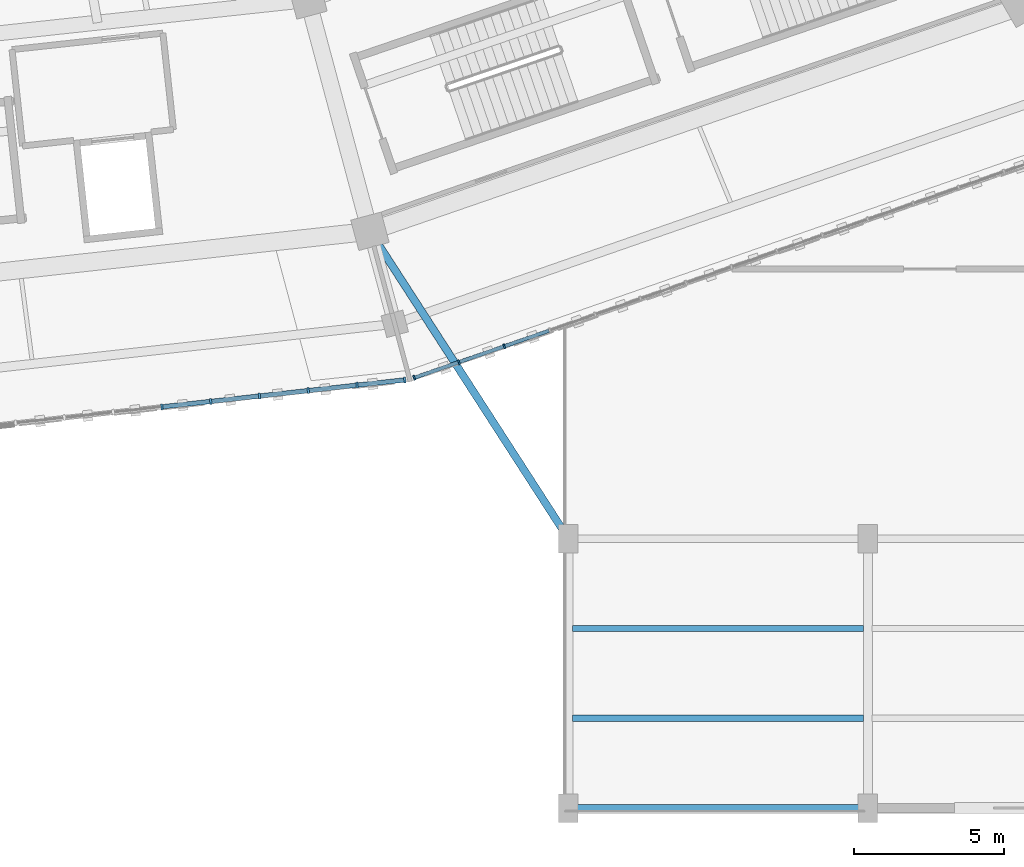
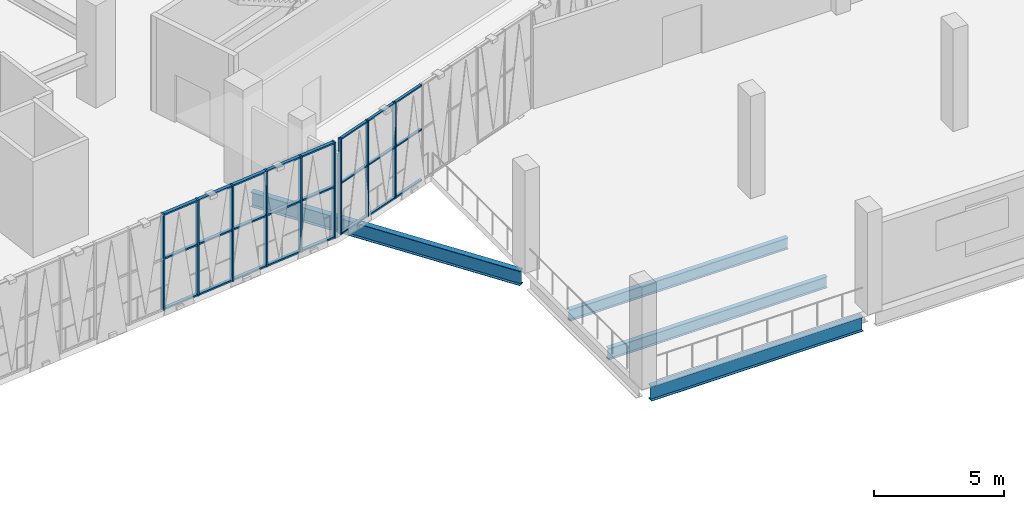
# One storey, part 26 of 179: 33 members, 4 beams, 2 elements without a shape of their own.
"""IFC4 building model written with IfcOpenShell, lengths in metres."""

from ifc_helpers import new_model, si_unit, direction, frame, origin, origin_2d, place, context, subcontext, project, spatial, rectangle, i_section, extrude, material, material_profile, profile_set, type_object, element, aggregate, save


model = new_model("IFC4")

# Units and contexts
model_context = context("Model", 3, precision=1e-05, world=origin(), true_north=direction((0.0, 1.0)))
body_context = subcontext(model_context, "Body", "Model", "MODEL_VIEW")
ifc_project = project(units=[si_unit("LENGTHUNIT", "METRE"), si_unit("AREAUNIT", "SQUARE_METRE"), si_unit("VOLUMEUNIT", "CUBIC_METRE"), si_unit("PLANEANGLEUNIT", "RADIAN"), si_unit("MASSUNIT", "GRAM", prefix="KILO")], contexts=[model_context])

# Site, building, storey
site_placement = place(None, origin())
site = spatial("IfcSite", under=ifc_project, at=site_placement, CompositionType="ELEMENT")
building_placement = place(site_placement, origin())
building = spatial("IfcBuilding", under=site, at=building_placement, Name="Zevraka Park Crest Stadium", CompositionType="ELEMENT")
storey_placement = place(building_placement, frame((0.0, 0.0, 10.199951171875)))
storey = spatial("IfcBuildingStorey", under=building, at=storey_placement, Name="L02", CompositionType="ELEMENT", Elevation=10.199951171875)

# Beams
ifc_material_1 = material(Name="Steel S355", Category="steel")
ifc_material_profile_1 = material_profile(ifc_material_1, i_section(OverallWidth=0.253662109375, OverallDepth=0.68359375, WebThickness=0.012451171875, FlangeThickness=0.01904296875, at=origin_2d()), Name="UKB 686x254x140")
ifc_profile_set_1 = profile_set([ifc_material_profile_1], Name="Steel S355")
beam_type_1 = type_object("IfcBeamType", Name="BG05", PredefinedType="BEAM", material=ifc_profile_set_1)
beam_1_placement = place(storey_placement, frame((142.300048828125, 0.0, -0.629638671875), z_axis=(1.0, 0.0, 0.0), x_axis=(0.0, 1.0, 0.0)))
element("IfcBeam", 1, at=beam_1_placement, inside=storey, type_object=beam_type_1, Name="Wing Girder BG05 L02-1617/A", PredefinedType="BEAM", context=body_context, shape_type="SweptSolid", body=[
    extrude(i_section(OverallWidth=0.253662109375, OverallDepth=0.68359375, WebThickness=0.012451171875, FlangeThickness=0.01904296875, at=origin_2d()), origin(), (0.0, 0.0, 1.0), 9.39990234375),
])
beam_2_placement = place(storey_placement, frame((141.89208984375, 9.16796875, -0.629638671875), z_axis=(-0.542497990174, 0.840057099641, 0.0), x_axis=(-0.840057099641, -0.542497990174, 0.0)))
element("IfcBeam", 2, at=beam_2_placement, inside=storey, type_object=beam_type_1, Name="Wing Link Girder BG05 L02-16/B", PredefinedType="BEAM", context=body_context, shape_type="SweptSolid", body=[
    extrude(i_section(OverallWidth=0.253662109375, OverallDepth=0.68359375, WebThickness=0.012451171875, FlangeThickness=0.01904296875, at=origin_2d()), origin(), (0.0, 0.0, 1.0), 11.640869140625),
])

# Curtain wall, members
ifc_material_2 = material(Name="Anodised architectural aluminium and laminated safety glass", Category="aluminium")
curtain_wall_type_1 = type_object("IfcCurtainWallType", Name="CW07", PredefinedType="NOTDEFINED", material=ifc_material_2)
curtain_wall_1_placement = place(storey_placement, origin())
curtain_wall_1 = element("IfcCurtainWall", 3, at=curtain_wall_1_placement, inside=storey, type_object=curtain_wall_type_1, Name="Unitised Ring Curtain Wall CW07 L02-19", PredefinedType="NOTDEFINED")
ifc_material_3 = material(Name="Anodised architectural aluminium", Category="aluminium")
ifc_material_profile_2 = material_profile(ifc_material_3, rectangle(XDim=0.159912109375, YDim=0.06005859375, at=origin_2d()), Name="ALU MULLION 160x60")
ifc_profile_set_2 = profile_set([ifc_material_profile_2], Name="Anodised architectural aluminium")
member_type_1 = type_object("IfcMemberType", Name="CM01", PredefinedType="MULLION", material=ifc_profile_set_2)
member_1_placement = place(storey_placement, frame((136.851318359375, 14.375, 0.0), z_axis=(0.0, 0.0, 1.0), x_axis=(-0.329618886002, 0.944114076789, 0.0)))
member_1 = element("IfcMember", 4, at=member_1_placement, type_object=member_type_1, Name="CW07 mullion 1", PredefinedType="MULLION", context=body_context, shape_type="SweptSolid", body=[
    extrude(rectangle(XDim=0.159912109375, YDim=0.06005859375, at=origin_2d()), origin(), (0.0, 0.0, 1.0), 4.5),
])
member_2_placement = place(storey_placement, frame((138.3408203125, 14.89501953125, 0.0), z_axis=(0.0, 0.0, 1.0), x_axis=(-0.329618886002, 0.944114076789, 0.0)))
member_2 = element("IfcMember", 5, at=member_2_placement, type_object=member_type_1, Name="CW07 mullion 2", PredefinedType="MULLION", context=body_context, shape_type="SweptSolid", body=[
    extrude(rectangle(XDim=0.159912109375, YDim=0.06005859375, at=origin_2d()), origin(), (0.0, 0.0, 1.0), 4.5),
])
member_3_placement = place(storey_placement, frame((139.858642578125, 15.4248046875, 0.0), z_axis=(0.0, 0.0, 1.0), x_axis=(-0.329618886002, 0.944114076789, 0.0)))
member_3 = element("IfcMember", 6, at=member_3_placement, type_object=member_type_1, Name="CW07 mullion 3", PredefinedType="MULLION", context=body_context, shape_type="SweptSolid", body=[
    extrude(rectangle(XDim=0.159912109375, YDim=0.06005859375, at=origin_2d()), origin(), (0.0, 0.0, 1.0), 4.5),
])

ifc_material_4 = material(Name="Anodised architectural aluminium and laminated safety glass", Category="aluminium")
curtain_wall_type_2 = type_object("IfcCurtainWallType", Name="CW06", PredefinedType="NOTDEFINED", material=ifc_material_4)
curtain_wall_2_placement = place(storey_placement, origin())
curtain_wall_2 = element("IfcCurtainWall", 7, at=curtain_wall_2_placement, inside=storey, type_object=curtain_wall_type_2, Name="Unitised Ring Curtain Wall CW06 L02-18", PredefinedType="NOTDEFINED")
ifc_material_5 = material(Name="Anodised architectural aluminium", Category="aluminium")
ifc_material_profile_3 = material_profile(ifc_material_5, rectangle(XDim=0.199951171875, YDim=0.070068359375, at=origin_2d()), Name="ALU MULLION 200x70")
ifc_profile_set_3 = profile_set([ifc_material_profile_3], Name="Anodised architectural aluminium")
member_type_2 = type_object("IfcMemberType", Name="CM03", PredefinedType="MULLION", material=ifc_profile_set_3)
member_4_placement = place(storey_placement, frame((128.422607421875, 13.403076171875, 0.0), z_axis=(0.0, 0.0, 1.0), x_axis=(-0.110293152687, 0.993899099743, 0.0)))
member_4 = element("IfcMember", 8, at=member_4_placement, type_object=member_type_2, Name="CW06 mullion 11", PredefinedType="MULLION", context=body_context, shape_type="SweptSolid", body=[
    extrude(rectangle(XDim=0.199951171875, YDim=0.070068359375, at=origin_2d()), origin(), (0.0, 0.0, 1.0), 4.5),
])
member_5_placement = place(storey_placement, frame((130.052001953125, 13.583740234375, 0.0), z_axis=(0.0, 0.0, 1.0), x_axis=(-0.110293152687, 0.993899099743, 0.0)))
member_5 = element("IfcMember", 9, at=member_5_placement, type_object=member_type_2, Name="CW06 mullion 12", PredefinedType="MULLION", context=body_context, shape_type="SweptSolid", body=[
    extrude(rectangle(XDim=0.199951171875, YDim=0.070068359375, at=origin_2d()), origin(), (0.0, 0.0, 1.0), 4.5),
])
member_6_placement = place(storey_placement, frame((131.68115234375, 13.7646484375, 0.0), z_axis=(0.0, 0.0, 1.0), x_axis=(-0.110293152687, 0.993899099743, 0.0)))
member_6 = element("IfcMember", 10, at=member_6_placement, type_object=member_type_2, Name="CW06 mullion 13", PredefinedType="MULLION", context=body_context, shape_type="SweptSolid", body=[
    extrude(rectangle(XDim=0.199951171875, YDim=0.070068359375, at=origin_2d()), origin(), (0.0, 0.0, 1.0), 4.5),
])
member_7_placement = place(storey_placement, frame((133.310546875, 13.9453125, 0.0), z_axis=(0.0, 0.0, 1.0), x_axis=(-0.110293152687, 0.993899099743, 0.0)))
member_7 = element("IfcMember", 11, at=member_7_placement, type_object=member_type_2, Name="CW06 mullion 14", PredefinedType="MULLION", context=body_context, shape_type="SweptSolid", body=[
    extrude(rectangle(XDim=0.199951171875, YDim=0.070068359375, at=origin_2d()), origin(), (0.0, 0.0, 1.0), 4.5),
])
member_8_placement = place(storey_placement, frame((134.939697265625, 14.126220703125, 0.0), z_axis=(0.0, 0.0, 1.0), x_axis=(-0.110293152687, 0.993899099743, 0.0)))
member_8 = element("IfcMember", 12, at=member_8_placement, type_object=member_type_2, Name="CW06 mullion 15", PredefinedType="MULLION", context=body_context, shape_type="SweptSolid", body=[
    extrude(rectangle(XDim=0.199951171875, YDim=0.070068359375, at=origin_2d()), origin(), (0.0, 0.0, 1.0), 4.5),
])
member_9_placement = place(storey_placement, frame((136.5341796875, 14.30322265625, 0.0), z_axis=(0.0, 0.0, 1.0), x_axis=(-0.110293152687, 0.993899099743, 0.0)))
member_9 = element("IfcMember", 13, at=member_9_placement, type_object=member_type_2, Name="CW06 mullion 16", PredefinedType="MULLION", context=body_context, shape_type="SweptSolid", body=[
    extrude(rectangle(XDim=0.199951171875, YDim=0.070068359375, at=origin_2d()), origin(), (0.0, 0.0, 1.0), 4.5),
])

# Member
ifc_material_6 = material(Name="Anodised architectural aluminium", Category="aluminium")
ifc_material_profile_4 = material_profile(ifc_material_6, rectangle(XDim=0.1201171875, YDim=0.06005859375, at=origin_2d()), Name="ALU TRANSOM 120x60")
ifc_profile_set_4 = profile_set([ifc_material_profile_4], Name="Anodised architectural aluminium")
member_type_3 = type_object("IfcMemberType", Name="CT01", PredefinedType="USERDEFINED", material=ifc_profile_set_4)
member_10_placement = place(storey_placement, frame((136.879638671875, 14.384765625, 0.030029296875), z_axis=(0.944116383241, 0.329612279649, 0.0), x_axis=(-0.329612279649, 0.944116383241, 0.0)))
member_10 = element("IfcMember", 14, at=member_10_placement, type_object=member_type_3, Name="CW07 transom 1.1", ObjectType="TRANSOM", PredefinedType="USERDEFINED", context=body_context, shape_type="SweptSolid", body=[
    extrude(rectangle(XDim=0.1201171875, YDim=0.06005859375, at=origin_2d()), origin(), (0.0, 0.0, 1.0), 1.517578125),
])

member_11_placement = place(storey_placement, frame((136.879638671875, 14.384765625, 2.400146484375), z_axis=(0.944116383241, 0.329612279649, 0.0), x_axis=(-0.329612279649, 0.944116383241, 0.0)))
member_11 = element("IfcMember", 15, at=member_11_placement, type_object=member_type_3, Name="CW07 transom 1.2", ObjectType="TRANSOM", PredefinedType="USERDEFINED", context=body_context, shape_type="SweptSolid", body=[
    extrude(rectangle(XDim=0.1201171875, YDim=0.06005859375, at=origin_2d()), origin(), (0.0, 0.0, 1.0), 1.517578125),
])

member_12_placement = place(storey_placement, frame((136.879638671875, 14.384765625, 4.469970703125), z_axis=(0.944116383241, 0.329612279649, 0.0), x_axis=(-0.329612279649, 0.944116383241, 0.0)))
member_12 = element("IfcMember", 16, at=member_12_placement, type_object=member_type_3, Name="CW07 transom 1.3", ObjectType="TRANSOM", PredefinedType="USERDEFINED", context=body_context, shape_type="SweptSolid", body=[
    extrude(rectangle(XDim=0.1201171875, YDim=0.06005859375, at=origin_2d()), origin(), (0.0, 0.0, 1.0), 1.517578125),
])

member_13_placement = place(storey_placement, frame((138.369140625, 14.90478515625, 0.030029296875), z_axis=(0.944091748578, 0.329682832837, 0.0), x_axis=(-0.329682832837, 0.944091748578, 0.0)))
member_13 = element("IfcMember", 17, at=member_13_placement, type_object=member_type_3, Name="CW07 transom 2.1", ObjectType="TRANSOM", PredefinedType="USERDEFINED", context=body_context, shape_type="SweptSolid", body=[
    extrude(rectangle(XDim=0.1201171875, YDim=0.06005859375, at=origin_2d()), origin(), (0.0, 0.0, 1.0), 1.547607421875),
])

member_14_placement = place(storey_placement, frame((138.369140625, 14.90478515625, 2.400146484375), z_axis=(0.944091748578, 0.329682832837, 0.0), x_axis=(-0.329682832837, 0.944091748578, 0.0)))
member_14 = element("IfcMember", 18, at=member_14_placement, type_object=member_type_3, Name="CW07 transom 2.2", ObjectType="TRANSOM", PredefinedType="USERDEFINED", context=body_context, shape_type="SweptSolid", body=[
    extrude(rectangle(XDim=0.1201171875, YDim=0.06005859375, at=origin_2d()), origin(), (0.0, 0.0, 1.0), 1.547607421875),
])

member_15_placement = place(storey_placement, frame((138.369140625, 14.90478515625, 4.469970703125), z_axis=(0.944091748578, 0.329682832837, 0.0), x_axis=(-0.329682832837, 0.944091748578, 0.0)))
member_15 = element("IfcMember", 19, at=member_15_placement, type_object=member_type_3, Name="CW07 transom 2.3", ObjectType="TRANSOM", PredefinedType="USERDEFINED", context=body_context, shape_type="SweptSolid", body=[
    extrude(rectangle(XDim=0.1201171875, YDim=0.06005859375, at=origin_2d()), origin(), (0.0, 0.0, 1.0), 1.547607421875),
])

member_16_placement = place(storey_placement, frame((139.886962890625, 15.434814453125, 0.030029296875), z_axis=(0.944157965945, 0.329493149158, 0.0), x_axis=(-0.329493149158, 0.944157965945, 0.0)))
member_16 = element("IfcMember", 20, at=member_16_placement, type_object=member_type_3, Name="CW07 transom 3.1", ObjectType="TRANSOM", PredefinedType="USERDEFINED", context=body_context, shape_type="SweptSolid", body=[
    extrude(rectangle(XDim=0.1201171875, YDim=0.06005859375, at=origin_2d()), origin(), (0.0, 0.0, 1.0), 1.5478515625),
])

member_17_placement = place(storey_placement, frame((139.886962890625, 15.434814453125, 2.400146484375), z_axis=(0.944157965945, 0.329493149158, 0.0), x_axis=(-0.329493149158, 0.944157965945, 0.0)))
member_17 = element("IfcMember", 21, at=member_17_placement, type_object=member_type_3, Name="CW07 transom 3.2", ObjectType="TRANSOM", PredefinedType="USERDEFINED", context=body_context, shape_type="SweptSolid", body=[
    extrude(rectangle(XDim=0.1201171875, YDim=0.06005859375, at=origin_2d()), origin(), (0.0, 0.0, 1.0), 1.5478515625),
])

member_18_placement = place(storey_placement, frame((139.886962890625, 15.434814453125, 4.469970703125), z_axis=(0.944157965945, 0.329493149158, 0.0), x_axis=(-0.329493149158, 0.944157965945, 0.0)))
member_18 = element("IfcMember", 22, at=member_18_placement, type_object=member_type_3, Name="CW07 transom 3.3", ObjectType="TRANSOM", PredefinedType="USERDEFINED", context=body_context, shape_type="SweptSolid", body=[
    extrude(rectangle(XDim=0.1201171875, YDim=0.06005859375, at=origin_2d()), origin(), (0.0, 0.0, 1.0), 1.5478515625),
])

aggregate(curtain_wall_1, [member_1, member_2, member_3, member_10, member_11, member_12, member_13, member_14, member_15, member_16, member_17, member_18])

ifc_material_7 = material(Name="Anodised architectural aluminium", Category="aluminium")
ifc_material_profile_5 = material_profile(ifc_material_7, rectangle(XDim=0.14990234375, YDim=0.070068359375, at=origin_2d()), Name="ALU TRANSOM 150x70")
ifc_profile_set_5 = profile_set([ifc_material_profile_5], Name="Anodised architectural aluminium")
member_type_4 = type_object("IfcMemberType", Name="CT03", PredefinedType="USERDEFINED", material=ifc_profile_set_5)
member_19_placement = place(storey_placement, frame((128.45751953125, 13.40673828125, 0.03515625), z_axis=(0.993897009399, 0.11031198805, 0.0), x_axis=(-0.11031198805, 0.993897009399, 0.0)))
member_19 = element("IfcMember", 23, at=member_19_placement, type_object=member_type_4, Name="CW06 transom 11.1", ObjectType="TRANSOM", PredefinedType="USERDEFINED", context=body_context, shape_type="SweptSolid", body=[
    extrude(rectangle(XDim=0.14990234375, YDim=0.070068359375, at=origin_2d()), origin(), (0.0, 0.0, 1.0), 1.569091796875),
])

member_20_placement = place(storey_placement, frame((128.45751953125, 13.40673828125, 2.400146484375), z_axis=(0.993897009399, 0.11031198805, 0.0), x_axis=(-0.11031198805, 0.993897009399, 0.0)))
member_20 = element("IfcMember", 24, at=member_20_placement, type_object=member_type_4, Name="CW06 transom 11.2", ObjectType="TRANSOM", PredefinedType="USERDEFINED", context=body_context, shape_type="SweptSolid", body=[
    extrude(rectangle(XDim=0.14990234375, YDim=0.070068359375, at=origin_2d()), origin(), (0.0, 0.0, 1.0), 1.569091796875),
])

member_21_placement = place(storey_placement, frame((128.45751953125, 13.40673828125, 4.465087890625), z_axis=(0.993897009399, 0.11031198805, 0.0), x_axis=(-0.11031198805, 0.993897009399, 0.0)))
member_21 = element("IfcMember", 25, at=member_21_placement, type_object=member_type_4, Name="CW06 transom 11.3", ObjectType="TRANSOM", PredefinedType="USERDEFINED", context=body_context, shape_type="SweptSolid", body=[
    extrude(rectangle(XDim=0.14990234375, YDim=0.070068359375, at=origin_2d()), origin(), (0.0, 0.0, 1.0), 1.569091796875),
])

member_22_placement = place(storey_placement, frame((130.086669921875, 13.587646484375, 0.03515625), z_axis=(0.993898902271, 0.110294932182, 0.0), x_axis=(-0.110294932182, 0.993898902271, 0.0)))
member_22 = element("IfcMember", 26, at=member_22_placement, type_object=member_type_4, Name="CW06 transom 12.1", ObjectType="TRANSOM", PredefinedType="USERDEFINED", context=body_context, shape_type="SweptSolid", body=[
    extrude(rectangle(XDim=0.14990234375, YDim=0.070068359375, at=origin_2d()), origin(), (0.0, 0.0, 1.0), 1.5693359375),
])

member_23_placement = place(storey_placement, frame((130.086669921875, 13.587646484375, 2.400146484375), z_axis=(0.993898902271, 0.110294932182, 0.0), x_axis=(-0.110294932182, 0.993898902271, 0.0)))
member_23 = element("IfcMember", 27, at=member_23_placement, type_object=member_type_4, Name="CW06 transom 12.2", ObjectType="TRANSOM", PredefinedType="USERDEFINED", context=body_context, shape_type="SweptSolid", body=[
    extrude(rectangle(XDim=0.14990234375, YDim=0.070068359375, at=origin_2d()), origin(), (0.0, 0.0, 1.0), 1.5693359375),
])

member_24_placement = place(storey_placement, frame((130.086669921875, 13.587646484375, 4.465087890625), z_axis=(0.993898902271, 0.110294932182, 0.0), x_axis=(-0.110294932182, 0.993898902271, 0.0)))
member_24 = element("IfcMember", 28, at=member_24_placement, type_object=member_type_4, Name="CW06 transom 12.3", ObjectType="TRANSOM", PredefinedType="USERDEFINED", context=body_context, shape_type="SweptSolid", body=[
    extrude(rectangle(XDim=0.14990234375, YDim=0.070068359375, at=origin_2d()), origin(), (0.0, 0.0, 1.0), 1.5693359375),
])

member_25_placement = place(storey_placement, frame((131.716064453125, 13.7685546875, 0.03515625), z_axis=(0.993897009399, 0.11031198805, 0.0), x_axis=(-0.11031198805, 0.993897009399, 0.0)))
member_25 = element("IfcMember", 29, at=member_25_placement, type_object=member_type_4, Name="CW06 transom 13.1", ObjectType="TRANSOM", PredefinedType="USERDEFINED", context=body_context, shape_type="SweptSolid", body=[
    extrude(rectangle(XDim=0.14990234375, YDim=0.070068359375, at=origin_2d()), origin(), (0.0, 0.0, 1.0), 1.569091796875),
])

member_26_placement = place(storey_placement, frame((131.716064453125, 13.7685546875, 2.400146484375), z_axis=(0.993897009399, 0.11031198805, 0.0), x_axis=(-0.11031198805, 0.993897009399, 0.0)))
member_26 = element("IfcMember", 30, at=member_26_placement, type_object=member_type_4, Name="CW06 transom 13.2", ObjectType="TRANSOM", PredefinedType="USERDEFINED", context=body_context, shape_type="SweptSolid", body=[
    extrude(rectangle(XDim=0.14990234375, YDim=0.070068359375, at=origin_2d()), origin(), (0.0, 0.0, 1.0), 1.569091796875),
])

member_27_placement = place(storey_placement, frame((131.716064453125, 13.7685546875, 4.465087890625), z_axis=(0.993897009399, 0.11031198805, 0.0), x_axis=(-0.11031198805, 0.993897009399, 0.0)))
member_27 = element("IfcMember", 31, at=member_27_placement, type_object=member_type_4, Name="CW06 transom 13.3", ObjectType="TRANSOM", PredefinedType="USERDEFINED", context=body_context, shape_type="SweptSolid", body=[
    extrude(rectangle(XDim=0.14990234375, YDim=0.070068359375, at=origin_2d()), origin(), (0.0, 0.0, 1.0), 1.569091796875),
])

member_28_placement = place(storey_placement, frame((133.34521484375, 13.94921875, 0.03515625), z_axis=(0.993898902271, 0.110294932182, 0.0), x_axis=(-0.110294932182, 0.993898902271, 0.0)))
member_28 = element("IfcMember", 32, at=member_28_placement, type_object=member_type_4, Name="CW06 transom 14.1", ObjectType="TRANSOM", PredefinedType="USERDEFINED", context=body_context, shape_type="SweptSolid", body=[
    extrude(rectangle(XDim=0.14990234375, YDim=0.070068359375, at=origin_2d()), origin(), (0.0, 0.0, 1.0), 1.5693359375),
])

member_29_placement = place(storey_placement, frame((133.34521484375, 13.94921875, 2.400146484375), z_axis=(0.993898902271, 0.110294932182, 0.0), x_axis=(-0.110294932182, 0.993898902271, 0.0)))
member_29 = element("IfcMember", 33, at=member_29_placement, type_object=member_type_4, Name="CW06 transom 14.2", ObjectType="TRANSOM", PredefinedType="USERDEFINED", context=body_context, shape_type="SweptSolid", body=[
    extrude(rectangle(XDim=0.14990234375, YDim=0.070068359375, at=origin_2d()), origin(), (0.0, 0.0, 1.0), 1.5693359375),
])

member_30_placement = place(storey_placement, frame((133.34521484375, 13.94921875, 4.465087890625), z_axis=(0.993898902271, 0.110294932182, 0.0), x_axis=(-0.110294932182, 0.993898902271, 0.0)))
member_30 = element("IfcMember", 34, at=member_30_placement, type_object=member_type_4, Name="CW06 transom 14.3", ObjectType="TRANSOM", PredefinedType="USERDEFINED", context=body_context, shape_type="SweptSolid", body=[
    extrude(rectangle(XDim=0.14990234375, YDim=0.070068359375, at=origin_2d()), origin(), (0.0, 0.0, 1.0), 1.5693359375),
])

member_31_placement = place(storey_placement, frame((134.974609375, 14.130126953125, 0.03515625), z_axis=(0.993901187296, 0.110274339224, 0.0), x_axis=(-0.110274339224, 0.993901187296, 0.0)))
member_31 = element("IfcMember", 35, at=member_31_placement, type_object=member_type_4, Name="CW06 transom 15.1", ObjectType="TRANSOM", PredefinedType="USERDEFINED", context=body_context, shape_type="SweptSolid", body=[
    extrude(rectangle(XDim=0.14990234375, YDim=0.070068359375, at=origin_2d()), origin(), (0.0, 0.0, 1.0), 1.5341796875),
])

member_32_placement = place(storey_placement, frame((134.974609375, 14.130126953125, 2.400146484375), z_axis=(0.993901187296, 0.110274339224, 0.0), x_axis=(-0.110274339224, 0.993901187296, 0.0)))
member_32 = element("IfcMember", 36, at=member_32_placement, type_object=member_type_4, Name="CW06 transom 15.2", ObjectType="TRANSOM", PredefinedType="USERDEFINED", context=body_context, shape_type="SweptSolid", body=[
    extrude(rectangle(XDim=0.14990234375, YDim=0.070068359375, at=origin_2d()), origin(), (0.0, 0.0, 1.0), 1.5341796875),
])

member_33_placement = place(storey_placement, frame((134.974609375, 14.130126953125, 4.465087890625), z_axis=(0.993901187296, 0.110274339224, 0.0), x_axis=(-0.110274339224, 0.993901187296, 0.0)))
member_33 = element("IfcMember", 37, at=member_33_placement, type_object=member_type_4, Name="CW06 transom 15.3", ObjectType="TRANSOM", PredefinedType="USERDEFINED", context=body_context, shape_type="SweptSolid", body=[
    extrude(rectangle(XDim=0.14990234375, YDim=0.070068359375, at=origin_2d()), origin(), (0.0, 0.0, 1.0), 1.5341796875),
])

aggregate(curtain_wall_2, [member_4, member_5, member_6, member_7, member_8, member_9, member_19, member_20, member_21, member_22, member_23, member_24, member_25, member_26, member_27, member_28, member_29, member_30, member_31, member_32, member_33])

# Beams
ifc_material_8 = material(Name="Steel S355", Category="steel")
ifc_material_profile_6 = material_profile(ifc_material_8, i_section(OverallWidth=0.209228515625, OverallDepth=0.533203125, WebThickness=0.010009765625, FlangeThickness=0.015625, at=origin_2d()), Name="UKB 533x210x92")
ifc_profile_set_6 = profile_set([ifc_material_profile_6], Name="Steel S355")
beam_type_2 = type_object("IfcBeamType", Name="SJ05", PredefinedType="JOIST", material=ifc_profile_set_6)
for number, where, z_axis, x_axis, name in (
    (38, (142.14501953125, 3.0, -0.556396484375), (1.0, 0.0, 0.0), (0.0, 1.0, 0.0), "Wing Joist SJ05 L02-16/A-1"),
    (39, (142.14501953125, 6.0, -0.556396484375), (1.0, 0.0, 0.0), (0.0, 1.0, 0.0), "Wing Joist SJ05 L02-16/A-2"),
):
    element("IfcBeam", number, at=place(storey_placement, frame(where, z_axis=z_axis, x_axis=x_axis)), inside=storey, type_object=beam_type_2, Name=name, PredefinedType="JOIST", context=body_context, shape_type="SweptSolid", body=[
        extrude(i_section(OverallWidth=0.209228515625, OverallDepth=0.533203125, WebThickness=0.010009765625, FlangeThickness=0.015625, at=origin_2d()), origin(), (0.0, 0.0, 1.0), 9.7099609375),
    ])

save(model, "model.ifc")
